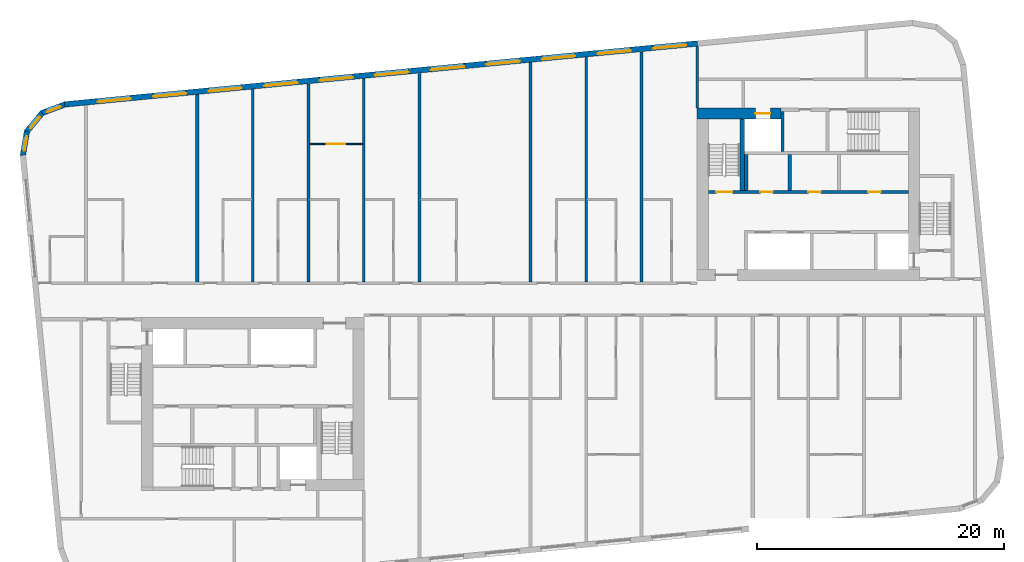
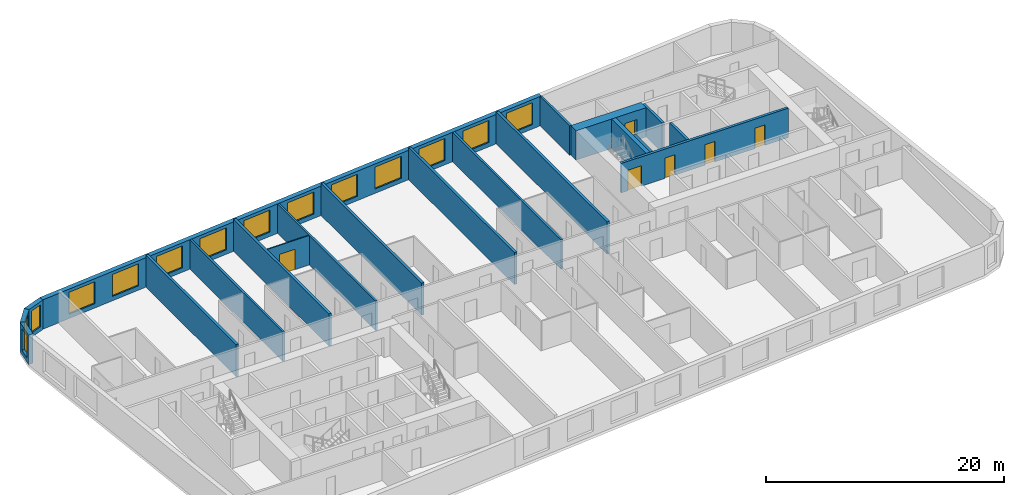
# One storey, part 6 of 12: 20 walls, 14 windows, 6 doors, 20 openings.
"""IFC4 building model written with IfcOpenShell, lengths in metres."""

from ifc_helpers import new_model, si_unit, direction, frame, frame_2d, origin, place, context, subcontext, project, spatial, polyline, rectangle, outline, extrude, material, layer, layer_set, type_object, element, fill, save


model = new_model("IFC4")

# Units and contexts
model_context = context("Model", 3, precision=1e-05, world=origin(), true_north=direction((0.0, 1.0)))
body_context = subcontext(model_context, "Body", "Model", "MODEL_VIEW")
ifc_project = project(units=[si_unit("LENGTHUNIT", "METRE"), si_unit("AREAUNIT", "SQUARE_METRE"), si_unit("VOLUMEUNIT", "CUBIC_METRE"), si_unit("PLANEANGLEUNIT", "RADIAN"), si_unit("MASSUNIT", "GRAM", prefix="KILO")], contexts=[model_context])

# Site, building, storey
site_placement = place(None, origin())
site = spatial("IfcSite", under=ifc_project, at=site_placement, CompositionType="ELEMENT")
building_placement = place(site_placement, origin())
building = spatial("IfcBuilding", under=site, at=building_placement, Name="Kajstack Hotel Tower", CompositionType="ELEMENT")
storey_placement = place(building_placement, frame((0.0, 0.0, 301.5)))
storey = spatial("IfcBuildingStorey", under=building, at=storey_placement, Name="L76", CompositionType="ELEMENT", Elevation=301.5)

# Wall, opening, door
ifc_material_1 = material(Name="Concrete C60/75", Category="concrete")
ifc_layer_1 = layer(ifc_material_1, 0.89990234375)
ifc_layer_set_1 = layer_set([ifc_layer_1], Name="Core wall 900")
wall_type_1 = type_object("IfcWallType", Name="Core wall 900", PredefinedType="SHEAR", material=ifc_layer_set_1)
wall_1_placement = place(storey_placement, frame((13.5, 15.050048828125, 0.0), z_axis=(0.0, 0.0, 1.0), x_axis=(1.0, 0.0, 0.0)))
wall_1 = element("IfcWall", 1, at=wall_1_placement, inside=storey, type_object=wall_type_1, Name="Core wall E RS", PredefinedType="SHEAR", context=body_context, shape_type="SweptSolid", body=[
    extrude(rectangle(XDim=6.800048828125, YDim=0.89990234375, at=frame_2d((3.39990234375, 0.0))), origin(), (0.0, 0.0, 1.0), 3.02001953125),
])
opening_1_placement = place(wall_1_placement, frame((4.72509765625, 0.0, 0.0)))
opening_1 = element("IfcOpeningElement", 2, at=opening_1_placement, cuts=wall_1, Name="Opening LD-SV2", PredefinedType="OPENING", context=body_context, shape_type="SweptSolid", body=[
    extrude(rectangle(XDim=1.199951171875, YDim=2.10009765625, at=frame_2d((0.60009765625, 1.050048828125))), frame((0.0, 0.4599609375, 0.0), z_axis=(0.0, -1.0, 0.0), x_axis=(1.0, 0.0, 0.0)), (0.0, 0.0, 1.0), 0.919921875),
])
ifc_material_2 = material(Name="Stainless steel", Category="steel")
door_type_1 = type_object("IfcDoorType", Name="Lift landing door 1200", OperationType="SLIDING_TO_LEFT", PredefinedType="DOOR", material=ifc_material_2)
door_1_placement = place(opening_1_placement, origin())
door_1 = element("IfcDoor", 3, at=door_1_placement, inside=storey, type_object=door_type_1, Name="Landing door SV2", OperationType="SLIDING_TO_LEFT", OverallHeight=2.10009765625, OverallWidth=1.199951171875, PredefinedType="DOOR", context=body_context, shape_type="SweptSolid", body=[
    extrude(rectangle(XDim=1.199951171875, YDim=2.10009765625, at=frame_2d((0.60009765625, 1.050048828125))), frame((0.0, 0.02490234375, 0.0), z_axis=(0.0, -1.0, 0.0), x_axis=(1.0, 0.0, 0.0)), (0.0, 0.0, 1.0), 0.050048828125),
])
fill(opening_1, door_1)

# Walls
ifc_material_3 = material(Name="Twin-frame gypsum board on steel studs, mineral wool", Category="steel")
ifc_layer_2 = layer(ifc_material_3, 0.199951171875)
ifc_layer_set_2 = layer_set([ifc_layer_2], Name="Demising wall 200")
wall_type_2 = type_object("IfcWallType", Name="Demising wall 200", PredefinedType="PARTITIONING", material=ifc_layer_set_2)
wall_2_placement = place(storey_placement, frame((13.5, 15.5, 0.0), z_axis=(0.0, 0.0, 1.0), x_axis=(0.0, 1.0, 0.0)))
element("IfcWall", 4, at=wall_2_placement, inside=storey, type_object=wall_type_2, Name="G-wall-L76-001", PredefinedType="PARTITIONING", context=body_context, shape_type="SweptSolid", body=[
    extrude(rectangle(XDim=4.985107421875, YDim=0.199951171875, at=frame_2d((2.49267578125, 0.0))), origin(), (0.0, 0.0, 1.0), 3.02001953125),
])
wall_3_placement = place(storey_placement, frame((-22.5, 1.39990234375, 0.0), z_axis=(0.0, 0.0, 1.0), x_axis=(0.0, 1.0, 0.0)))
element("IfcWall", 5, at=wall_3_placement, inside=storey, type_object=wall_type_2, Name="G-wall-L76-008", PredefinedType="PARTITIONING", context=body_context, shape_type="SweptSolid", body=[
    extrude(rectangle(XDim=15.6181640625, YDim=0.199951171875, at=frame_2d((7.80908203125, 0.0))), origin(), (0.0, 0.0, 1.0), 3.02001953125),
])
wall_4_placement = place(storey_placement, frame((-13.5, 1.39990234375, 0.0), z_axis=(0.0, 0.0, 1.0), x_axis=(0.0, 1.0, 0.0)))
element("IfcWall", 6, at=wall_4_placement, inside=storey, type_object=wall_type_2, Name="G-wall-L76-013", PredefinedType="PARTITIONING", context=body_context, shape_type="SweptSolid", body=[
    extrude(rectangle(XDim=16.485107421875, YDim=0.199951171875, at=frame_2d((8.24267578125, 0.0))), origin(), (0.0, 0.0, 1.0), 3.02001953125),
])
wall_5_placement = place(storey_placement, frame((4.5, 1.39990234375, 0.0), z_axis=(0.0, 0.0, 1.0), x_axis=(0.0, 1.0, 0.0)))
element("IfcWall", 7, at=wall_5_placement, inside=storey, type_object=wall_type_2, Name="G-wall-L76-021", PredefinedType="PARTITIONING", context=body_context, shape_type="SweptSolid", body=[
    extrude(rectangle(XDim=18.218017578125, YDim=0.199951171875, at=frame_2d((9.10888671875, 0.0))), origin(), (0.0, 0.0, 1.0), 3.02001953125),
])

# Wall, openings, windows
ifc_material_4 = material(Name="Terracotta-faced brick masonry", Category="masonry")
ifc_layer_3 = layer(ifc_material_4, 0.449951171875)
ifc_layer_set_3 = layer_set([ifc_layer_3], Name="EW-TERRA")
wall_type_3 = type_object("IfcWallType", Name="EW-TERRA", PredefinedType="SOLIDWALL", material=ifc_layer_set_3)
wall_6_placement = place(storey_placement, frame((13.521484375, 20.712890625, 0.0), z_axis=(0.0, 0.0, 1.0), x_axis=(-0.995396277313, -0.095844932638, 0.0)))
wall_6 = element("IfcWall", 8, at=wall_6_placement, inside=storey, type_object=wall_type_3, Name="E-wall-L76-12-01", PredefinedType="SOLIDWALL", context=body_context, shape_type="SweptSolid", body=[
    extrude(rectangle(XDim=51.4951171875, YDim=0.449951171875, at=frame_2d((25.74755859375, 0.0))), origin(), (0.0, 0.0, 1.0), 3.02001953125),
])
opening_2_placement = place(wall_6_placement, frame((0.910400390625, 0.0, 0.449951171875)))
opening_2 = element("IfcOpeningElement", 9, at=opening_2_placement, cuts=wall_6, Name="Opening W1", PredefinedType="OPENING", context=body_context, shape_type="SweptSolid", body=[
    extrude(rectangle(XDim=2.699951171875, YDim=2.25, at=frame_2d((1.35009765625, 1.125))), frame((0.0, 0.23486328125, 0.0), z_axis=(0.0, -1.0, 0.0), x_axis=(1.0, 0.0, 0.0)), (0.0, 0.0, 1.0), 0.469970703125),
])
opening_3_placement = place(wall_6_placement, frame((5.43115234375, 0.0, 0.449951171875)))
opening_3 = element("IfcOpeningElement", 10, at=opening_3_placement, cuts=wall_6, Name="Opening W1", PredefinedType="OPENING", context=body_context, shape_type="SweptSolid", body=[
    extrude(rectangle(XDim=2.699951171875, YDim=2.25, at=frame_2d((1.35009765625, 1.125))), frame((0.0, 0.23486328125, 0.0), z_axis=(0.0, -1.0, 0.0), x_axis=(1.0, 0.0, 0.0)), (0.0, 0.0, 1.0), 0.469970703125),
])
opening_4_placement = place(wall_6_placement, frame((9.951904296875, 0.0, 0.449951171875)))
opening_4 = element("IfcOpeningElement", 11, at=opening_4_placement, cuts=wall_6, Name="Opening W1", PredefinedType="OPENING", context=body_context, shape_type="SweptSolid", body=[
    extrude(rectangle(XDim=2.699951171875, YDim=2.25, at=frame_2d((1.35009765625, 1.125))), frame((0.0, 0.23486328125, 0.0), z_axis=(0.0, -1.0, 0.0), x_axis=(1.0, 0.0, 0.0)), (0.0, 0.0, 1.0), 0.469970703125),
])
opening_5_placement = place(wall_6_placement, frame((14.472900390625, 0.0, 0.449951171875)))
opening_5 = element("IfcOpeningElement", 12, at=opening_5_placement, cuts=wall_6, Name="Opening W1", PredefinedType="OPENING", context=body_context, shape_type="SweptSolid", body=[
    extrude(rectangle(XDim=2.699951171875, YDim=2.25, at=frame_2d((1.35009765625, 1.125))), frame((0.0, 0.23486328125, 0.0), z_axis=(0.0, -1.0, 0.0), x_axis=(1.0, 0.0, 0.0)), (0.0, 0.0, 1.0), 0.469970703125),
])
opening_6_placement = place(wall_6_placement, frame((18.99365234375, 0.0, 0.449951171875)))
opening_6 = element("IfcOpeningElement", 13, at=opening_6_placement, cuts=wall_6, Name="Opening W1", PredefinedType="OPENING", context=body_context, shape_type="SweptSolid", body=[
    extrude(rectangle(XDim=2.699951171875, YDim=2.25, at=frame_2d((1.35009765625, 1.125))), frame((0.0, 0.23486328125, 0.0), z_axis=(0.0, -1.0, 0.0), x_axis=(1.0, 0.0, 0.0)), (0.0, 0.0, 1.0), 0.469970703125),
])
opening_7_placement = place(wall_6_placement, frame((23.514404296875, 0.0, 0.449951171875)))
opening_7 = element("IfcOpeningElement", 14, at=opening_7_placement, cuts=wall_6, Name="Opening W1", PredefinedType="OPENING", context=body_context, shape_type="SweptSolid", body=[
    extrude(rectangle(XDim=2.699951171875, YDim=2.25, at=frame_2d((1.35009765625, 1.125))), frame((0.0, 0.23486328125, 0.0), z_axis=(0.0, -1.0, 0.0), x_axis=(1.0, 0.0, 0.0)), (0.0, 0.0, 1.0), 0.469970703125),
])
opening_8_placement = place(wall_6_placement, frame((28.035400390625, 0.0, 0.449951171875)))
opening_8 = element("IfcOpeningElement", 15, at=opening_8_placement, cuts=wall_6, Name="Opening W1", PredefinedType="OPENING", context=body_context, shape_type="SweptSolid", body=[
    extrude(rectangle(XDim=2.699951171875, YDim=2.25, at=frame_2d((1.35009765625, 1.125))), frame((0.0, 0.23486328125, 0.0), z_axis=(0.0, -1.0, 0.0), x_axis=(1.0, 0.0, 0.0)), (0.0, 0.0, 1.0), 0.469970703125),
])
opening_9_placement = place(wall_6_placement, frame((32.55615234375, 0.0, 0.449951171875)))
opening_9 = element("IfcOpeningElement", 16, at=opening_9_placement, cuts=wall_6, Name="Opening W1", PredefinedType="OPENING", context=body_context, shape_type="SweptSolid", body=[
    extrude(rectangle(XDim=2.699951171875, YDim=2.25, at=frame_2d((1.35009765625, 1.125))), frame((0.0, 0.23486328125, 0.0), z_axis=(0.0, -1.0, 0.0), x_axis=(1.0, 0.0, 0.0)), (0.0, 0.0, 1.0), 0.469970703125),
])
opening_10_placement = place(wall_6_placement, frame((37.076904296875, 0.0, 0.449951171875)))
opening_10 = element("IfcOpeningElement", 17, at=opening_10_placement, cuts=wall_6, Name="Opening W1", PredefinedType="OPENING", context=body_context, shape_type="SweptSolid", body=[
    extrude(rectangle(XDim=2.699951171875, YDim=2.25, at=frame_2d((1.35009765625, 1.125))), frame((0.0, 0.23486328125, 0.0), z_axis=(0.0, -1.0, 0.0), x_axis=(1.0, 0.0, 0.0)), (0.0, 0.0, 1.0), 0.469970703125),
])
opening_11_placement = place(wall_6_placement, frame((41.59765625, 0.0, 0.449951171875)))
opening_11 = element("IfcOpeningElement", 18, at=opening_11_placement, cuts=wall_6, Name="Opening W1", PredefinedType="OPENING", context=body_context, shape_type="SweptSolid", body=[
    extrude(rectangle(XDim=2.699951171875, YDim=2.25, at=frame_2d((1.35009765625, 1.125))), frame((0.0, 0.23486328125, 0.0), z_axis=(0.0, -1.0, 0.0), x_axis=(1.0, 0.0, 0.0)), (0.0, 0.0, 1.0), 0.469970703125),
])
opening_12_placement = place(wall_6_placement, frame((46.118408203125, 0.0, 0.449951171875)))
opening_12 = element("IfcOpeningElement", 19, at=opening_12_placement, cuts=wall_6, Name="Opening W1", PredefinedType="OPENING", context=body_context, shape_type="SweptSolid", body=[
    extrude(rectangle(XDim=2.699951171875, YDim=2.25, at=frame_2d((1.35009765625, 1.125))), frame((0.0, 0.23486328125, 0.0), z_axis=(0.0, -1.0, 0.0), x_axis=(1.0, 0.0, 0.0)), (0.0, 0.0, 1.0), 0.469970703125),
])
ifc_material_5 = material(Name="Timber-aluminium window, triple glazed", Category="wood")
window_type_1 = type_object("IfcWindowType", Name="WG1", PartitioningType="SINGLE_PANEL", PredefinedType="WINDOW", material=ifc_material_5)
window_1_placement = place(opening_2_placement, origin())
window_1 = element("IfcWindow", 20, at=window_1_placement, inside=storey, type_object=window_type_1, Name="Window W1 L76-12", OverallHeight=2.25, OverallWidth=2.699951171875, PartitioningType="SINGLE_PANEL", PredefinedType="WINDOW", context=body_context, shape_type="SweptSolid", body=[
    extrude(rectangle(XDim=2.699951171875, YDim=2.25, at=frame_2d((1.35009765625, 1.125))), frame((0.0, 0.090087890625, 0.0), z_axis=(0.0, -1.0, 0.0), x_axis=(1.0, 0.0, 0.0)), (0.0, 0.0, 1.0), 0.06005859375),
])
fill(opening_2, window_1)
window_2_placement = place(opening_3_placement, origin())
window_2 = element("IfcWindow", 21, at=window_2_placement, inside=storey, type_object=window_type_1, Name="Window W1 L76-12", OverallHeight=2.25, OverallWidth=2.699951171875, PartitioningType="SINGLE_PANEL", PredefinedType="WINDOW", context=body_context, shape_type="SweptSolid", body=[
    extrude(rectangle(XDim=2.699951171875, YDim=2.25, at=frame_2d((1.35009765625, 1.125))), frame((0.0, 0.090087890625, 0.0), z_axis=(0.0, -1.0, 0.0), x_axis=(1.0, 0.0, 0.0)), (0.0, 0.0, 1.0), 0.06005859375),
])
fill(opening_3, window_2)
window_3_placement = place(opening_4_placement, origin())
window_3 = element("IfcWindow", 22, at=window_3_placement, inside=storey, type_object=window_type_1, Name="Window W1 L76-12", OverallHeight=2.25, OverallWidth=2.699951171875, PartitioningType="SINGLE_PANEL", PredefinedType="WINDOW", context=body_context, shape_type="SweptSolid", body=[
    extrude(rectangle(XDim=2.699951171875, YDim=2.25, at=frame_2d((1.35009765625, 1.125))), frame((0.0, 0.090087890625, 0.0), z_axis=(0.0, -1.0, 0.0), x_axis=(1.0, 0.0, 0.0)), (0.0, 0.0, 1.0), 0.06005859375),
])
fill(opening_4, window_3)
window_4_placement = place(opening_5_placement, origin())
window_4 = element("IfcWindow", 23, at=window_4_placement, inside=storey, type_object=window_type_1, Name="Window W1 L76-12", OverallHeight=2.25, OverallWidth=2.699951171875, PartitioningType="SINGLE_PANEL", PredefinedType="WINDOW", context=body_context, shape_type="SweptSolid", body=[
    extrude(rectangle(XDim=2.699951171875, YDim=2.25, at=frame_2d((1.35009765625, 1.125))), frame((0.0, 0.090087890625, 0.0), z_axis=(0.0, -1.0, 0.0), x_axis=(1.0, 0.0, 0.0)), (0.0, 0.0, 1.0), 0.06005859375),
])
fill(opening_5, window_4)
window_5_placement = place(opening_6_placement, origin())
window_5 = element("IfcWindow", 24, at=window_5_placement, inside=storey, type_object=window_type_1, Name="Window W1 L76-12", OverallHeight=2.25, OverallWidth=2.699951171875, PartitioningType="SINGLE_PANEL", PredefinedType="WINDOW", context=body_context, shape_type="SweptSolid", body=[
    extrude(rectangle(XDim=2.699951171875, YDim=2.25, at=frame_2d((1.35009765625, 1.125))), frame((0.0, 0.090087890625, 0.0), z_axis=(0.0, -1.0, 0.0), x_axis=(1.0, 0.0, 0.0)), (0.0, 0.0, 1.0), 0.06005859375),
])
fill(opening_6, window_5)
window_6_placement = place(opening_7_placement, origin())
window_6 = element("IfcWindow", 25, at=window_6_placement, inside=storey, type_object=window_type_1, Name="Window W1 L76-12", OverallHeight=2.25, OverallWidth=2.699951171875, PartitioningType="SINGLE_PANEL", PredefinedType="WINDOW", context=body_context, shape_type="SweptSolid", body=[
    extrude(rectangle(XDim=2.699951171875, YDim=2.25, at=frame_2d((1.35009765625, 1.125))), frame((0.0, 0.090087890625, 0.0), z_axis=(0.0, -1.0, 0.0), x_axis=(1.0, 0.0, 0.0)), (0.0, 0.0, 1.0), 0.06005859375),
])
fill(opening_7, window_6)
window_7_placement = place(opening_8_placement, origin())
window_7 = element("IfcWindow", 26, at=window_7_placement, inside=storey, type_object=window_type_1, Name="Window W1 L76-12", OverallHeight=2.25, OverallWidth=2.699951171875, PartitioningType="SINGLE_PANEL", PredefinedType="WINDOW", context=body_context, shape_type="SweptSolid", body=[
    extrude(rectangle(XDim=2.699951171875, YDim=2.25, at=frame_2d((1.35009765625, 1.125))), frame((0.0, 0.090087890625, 0.0), z_axis=(0.0, -1.0, 0.0), x_axis=(1.0, 0.0, 0.0)), (0.0, 0.0, 1.0), 0.06005859375),
])
fill(opening_8, window_7)
window_8_placement = place(opening_9_placement, origin())
window_8 = element("IfcWindow", 27, at=window_8_placement, inside=storey, type_object=window_type_1, Name="Window W1 L76-12", OverallHeight=2.25, OverallWidth=2.699951171875, PartitioningType="SINGLE_PANEL", PredefinedType="WINDOW", context=body_context, shape_type="SweptSolid", body=[
    extrude(rectangle(XDim=2.699951171875, YDim=2.25, at=frame_2d((1.35009765625, 1.125))), frame((0.0, 0.090087890625, 0.0), z_axis=(0.0, -1.0, 0.0), x_axis=(1.0, 0.0, 0.0)), (0.0, 0.0, 1.0), 0.06005859375),
])
fill(opening_9, window_8)
window_9_placement = place(opening_10_placement, origin())
window_9 = element("IfcWindow", 28, at=window_9_placement, inside=storey, type_object=window_type_1, Name="Window W1 L76-12", OverallHeight=2.25, OverallWidth=2.699951171875, PartitioningType="SINGLE_PANEL", PredefinedType="WINDOW", context=body_context, shape_type="SweptSolid", body=[
    extrude(rectangle(XDim=2.699951171875, YDim=2.25, at=frame_2d((1.35009765625, 1.125))), frame((0.0, 0.090087890625, 0.0), z_axis=(0.0, -1.0, 0.0), x_axis=(1.0, 0.0, 0.0)), (0.0, 0.0, 1.0), 0.06005859375),
])
fill(opening_10, window_9)
window_10_placement = place(opening_11_placement, origin())
window_10 = element("IfcWindow", 29, at=window_10_placement, inside=storey, type_object=window_type_1, Name="Window W1 L76-12", OverallHeight=2.25, OverallWidth=2.699951171875, PartitioningType="SINGLE_PANEL", PredefinedType="WINDOW", context=body_context, shape_type="SweptSolid", body=[
    extrude(rectangle(XDim=2.699951171875, YDim=2.25, at=frame_2d((1.35009765625, 1.125))), frame((0.0, 0.090087890625, 0.0), z_axis=(0.0, -1.0, 0.0), x_axis=(1.0, 0.0, 0.0)), (0.0, 0.0, 1.0), 0.06005859375),
])
fill(opening_11, window_10)
window_11_placement = place(opening_12_placement, origin())
window_11 = element("IfcWindow", 30, at=window_11_placement, inside=storey, type_object=window_type_1, Name="Window W1 L76-12", OverallHeight=2.25, OverallWidth=2.699951171875, PartitioningType="SINGLE_PANEL", PredefinedType="WINDOW", context=body_context, shape_type="SweptSolid", body=[
    extrude(rectangle(XDim=2.699951171875, YDim=2.25, at=frame_2d((1.35009765625, 1.125))), frame((0.0, 0.090087890625, 0.0), z_axis=(0.0, -1.0, 0.0), x_axis=(1.0, 0.0, 0.0)), (0.0, 0.0, 1.0), 0.06005859375),
])
fill(opening_12, window_11)

# Wall, opening, window
wall_7_placement = place(storey_placement, frame((-37.67919921875, 15.79052734375, 0.0), z_axis=(0.0, 0.0, 1.0), x_axis=(-0.936677599948, -0.350192909346, 0.0)))
wall_7 = element("IfcWall", 31, at=wall_7_placement, inside=storey, type_object=wall_type_3, Name="E-wall-L76-13-00", PredefinedType="SOLIDWALL", context=body_context, shape_type="SweptSolid", body=[
    extrude(outline(polyline([(0.000244140625, -0.224853515625), (2.070556640625, -0.224853515625), (1.949951171875, 0.22509765625), (0.12060546875, 0.22509765625), (0.000244140625, -0.224853515625)])), origin(), (0.0, 0.0, 1.0), 3.02001953125),
])
opening_13_placement = place(wall_7_placement, frame((0.435302734375, 0.0, 0.449951171875)))
opening_13 = element("IfcOpeningElement", 32, at=opening_13_placement, cuts=wall_7, Name="Opening W3", PredefinedType="OPENING", context=body_context, shape_type="SweptSolid", body=[
    extrude(rectangle(XDim=1.199951171875, YDim=2.25, at=frame_2d((0.60009765625, 1.125))), frame((0.0, 0.23486328125, 0.0), z_axis=(0.0, -1.0, 0.0), x_axis=(1.0, 0.0, 0.0)), (0.0, 0.0, 1.0), 0.469970703125),
])
window_type_2 = type_object("IfcWindowType", Name="WG3", PartitioningType="SINGLE_PANEL", PredefinedType="WINDOW", material=ifc_material_5)
window_12_placement = place(opening_13_placement, origin())
window_12 = element("IfcWindow", 33, at=window_12_placement, inside=storey, type_object=window_type_2, Name="Window W3 L76-13", OverallHeight=2.25, OverallWidth=1.199951171875, PartitioningType="SINGLE_PANEL", PredefinedType="WINDOW", context=body_context, shape_type="SweptSolid", body=[
    extrude(rectangle(XDim=1.199951171875, YDim=2.25, at=frame_2d((0.60009765625, 1.125))), frame((0.0, 0.090087890625, 0.0), z_axis=(0.0, -1.0, 0.0), x_axis=(1.0, 0.0, 0.0)), (0.0, 0.0, 1.0), 0.06005859375),
])
fill(opening_13, window_12)

wall_8_placement = place(storey_placement, frame((-39.52392578125, 15.133056640625, 0.0), z_axis=(0.0, 0.0, 1.0), x_axis=(-0.636046112757, -0.771651049663, 0.0)))
wall_8 = element("IfcWall", 34, at=wall_8_placement, inside=storey, type_object=wall_type_3, Name="E-wall-L76-14-00", PredefinedType="SOLIDWALL", context=body_context, shape_type="SweptSolid", body=[
    extrude(outline(polyline([(0.0, -0.224853515625), (2.070556640625, -0.224853515625), (1.949951171875, 0.22509765625), (0.12060546875, 0.22509765625), (0.0, -0.224853515625)])), origin(), (0.0, 0.0, 1.0), 3.02001953125),
])
opening_14_placement = place(wall_8_placement, frame((0.435302734375, 0.0, 0.449951171875)))
opening_14 = element("IfcOpeningElement", 35, at=opening_14_placement, cuts=wall_8, Name="Opening W3", PredefinedType="OPENING", context=body_context, shape_type="SweptSolid", body=[
    extrude(rectangle(XDim=1.199951171875, YDim=2.25, at=frame_2d((0.60009765625, 1.125))), frame((0.0, 0.23486328125, 0.0), z_axis=(0.0, -1.0, 0.0), x_axis=(1.0, 0.0, 0.0)), (0.0, 0.0, 1.0), 0.469970703125),
])
window_13_placement = place(opening_14_placement, origin())
window_13 = element("IfcWindow", 36, at=window_13_placement, inside=storey, type_object=window_type_2, Name="Window W3 L76-14", OverallHeight=2.25, OverallWidth=1.199951171875, PartitioningType="SINGLE_PANEL", PredefinedType="WINDOW", context=body_context, shape_type="SweptSolid", body=[
    extrude(rectangle(XDim=1.199951171875, YDim=2.25, at=frame_2d((0.60009765625, 1.125))), frame((0.0, 0.090087890625, 0.0), z_axis=(0.0, -1.0, 0.0), x_axis=(1.0, 0.0, 0.0)), (0.0, 0.0, 1.0), 0.06005859375),
])
fill(opening_14, window_13)

wall_9_placement = place(storey_placement, frame((-40.79248046875, 13.641357421875, 0.0), z_axis=(0.0, 0.0, 1.0), x_axis=(-0.165068144653, -0.986282164302, 0.0)))
wall_9 = element("IfcWall", 37, at=wall_9_placement, inside=storey, type_object=wall_type_3, Name="E-wall-L76-15-00", PredefinedType="SOLIDWALL", context=body_context, shape_type="SweptSolid", body=[
    extrude(outline(polyline([(0.0, -0.22509765625), (2.070556640625, -0.22509765625), (1.949951171875, 0.224853515625), (0.12060546875, 0.224853515625), (0.0, -0.22509765625)])), origin(), (0.0, 0.0, 1.0), 3.02001953125),
])
opening_15_placement = place(wall_9_placement, frame((0.435302734375, 0.0, 0.449951171875)))
opening_15 = element("IfcOpeningElement", 38, at=opening_15_placement, cuts=wall_9, Name="Opening W3", PredefinedType="OPENING", context=body_context, shape_type="SweptSolid", body=[
    extrude(rectangle(XDim=1.199951171875, YDim=2.25, at=frame_2d((0.60009765625, 1.125))), frame((0.0, 0.23486328125, 0.0), z_axis=(0.0, -1.0, 0.0), x_axis=(1.0, 0.0, 0.0)), (0.0, 0.0, 1.0), 0.469970703125),
])
window_14_placement = place(opening_15_placement, origin())
window_14 = element("IfcWindow", 39, at=window_14_placement, inside=storey, type_object=window_type_2, Name="Window W3 L76-15", OverallHeight=2.25, OverallWidth=1.199951171875, PartitioningType="SINGLE_PANEL", PredefinedType="WINDOW", context=body_context, shape_type="SweptSolid", body=[
    extrude(rectangle(XDim=1.199951171875, YDim=2.25, at=frame_2d((0.60009765625, 1.125))), frame((0.0, 0.090087890625, 0.0), z_axis=(0.0, -1.0, 0.0), x_axis=(1.0, 0.0, 0.0)), (0.0, 0.0, 1.0), 0.06005859375),
])
fill(opening_15, window_14)

# Wall, opening, door
ifc_material_6 = material(Name="Gypsum board on steel studs", Category="steel")
ifc_layer_4 = layer(ifc_material_6, 0.10009765625)
ifc_layer_set_4 = layer_set([ifc_layer_4], Name="Partition 100")
wall_type_4 = type_object("IfcWallType", Name="Partition 100", PredefinedType="PARTITIONING", material=ifc_layer_set_4)
wall_10_placement = place(storey_placement, frame((-17.875, 12.574951171875, 0.0), z_axis=(0.0, 0.0, 1.0), x_axis=(1.0, 0.0, 0.0)))
wall_10 = element("IfcWall", 40, at=wall_10_placement, inside=storey, type_object=wall_type_4, Name="G-wall-L76-016", PredefinedType="PARTITIONING", context=body_context, shape_type="SweptSolid", body=[
    extrude(rectangle(XDim=4.27490234375, YDim=0.10009765625, at=frame_2d((2.137451171875, 0.0))), origin(), (0.0, 0.0, 1.0), 3.02001953125),
])
opening_16_placement = place(wall_10_placement, frame((1.386962890625, 0.0, 0.0)))
opening_16 = element("IfcOpeningElement", 41, at=opening_16_placement, cuts=wall_10, Name="Opening 76011", PredefinedType="OPENING", context=body_context, shape_type="SweptSolid", body=[
    extrude(rectangle(XDim=1.5, YDim=2.10009765625, at=frame_2d((0.75, 1.050048828125))), frame((0.0, 0.06005859375, 0.0), z_axis=(0.0, -1.0, 0.0), x_axis=(1.0, 0.0, 0.0)), (0.0, 0.0, 1.0), 0.1201171875),
])
ifc_material_7 = material(Name="Painted timber door leaves, glazed panels", Category="wood")
door_type_2 = type_object("IfcDoorType", Name="Double door 1500", OperationType="SINGLE_SWING_LEFT", PredefinedType="DOOR", material=ifc_material_7)
door_2_placement = place(opening_16_placement, origin())
door_2 = element("IfcDoor", 42, at=door_2_placement, inside=storey, type_object=door_type_2, Name="G-door-L76-11", OperationType="SINGLE_SWING_LEFT", OverallHeight=2.10009765625, OverallWidth=1.5, PredefinedType="DOOR", context=body_context, shape_type="SweptSolid", body=[
    extrude(rectangle(XDim=1.5, YDim=2.10009765625, at=frame_2d((0.75, 1.050048828125))), frame((0.0, 0.02490234375, 0.0), z_axis=(0.0, -1.0, 0.0), x_axis=(1.0, 0.0, 0.0)), (0.0, 0.0, 1.0), 0.050048828125),
])
fill(opening_16, door_2)

# Walls
ifc_material_8 = material(Name="Concrete C40/50", Category="concrete")
ifc_layer_5 = layer(ifc_material_8, 0.25)
ifc_layer_set_5 = layer_set([ifc_layer_5], Name="RC cross wall 250 C40/50")
wall_type_5 = type_object("IfcWallType", Name="RC cross wall 250 C40/50", PredefinedType="SHEAR", material=ifc_layer_set_5)
wall_11_placement = place(storey_placement, frame((-27.0, 1.39990234375, 0.0), z_axis=(0.0, 0.0, 1.0), x_axis=(0.0, 1.0, 0.0)))
element("IfcWall", 43, at=wall_11_placement, inside=storey, type_object=wall_type_5, Name="S-wall-L76-02", PredefinedType="SHEAR", context=body_context, shape_type="SweptSolid", body=[
    extrude(rectangle(XDim=15.1630859375, YDim=0.25, at=frame_2d((7.58154296875, 0.0))), origin(), (0.0, 0.0, 1.0), 3.300048828125),
])
wall_12_placement = place(storey_placement, frame((-18.0, 1.39990234375, 0.0), z_axis=(0.0, 0.0, 1.0), x_axis=(0.0, 1.0, 0.0)))
element("IfcWall", 44, at=wall_12_placement, inside=storey, type_object=wall_type_5, Name="S-wall-L76-03", PredefinedType="SHEAR", context=body_context, shape_type="SweptSolid", body=[
    extrude(rectangle(XDim=16.029541015625, YDim=0.25, at=frame_2d((8.0146484375, 0.0))), origin(), (0.0, 0.0, 1.0), 3.300048828125),
])
wall_13_placement = place(storey_placement, frame((-9.0, 1.39990234375, 0.0), z_axis=(0.0, 0.0, 1.0), x_axis=(0.0, 1.0, 0.0)))
element("IfcWall", 45, at=wall_13_placement, inside=storey, type_object=wall_type_5, Name="S-wall-L76-05", PredefinedType="SHEAR", context=body_context, shape_type="SweptSolid", body=[
    extrude(rectangle(XDim=16.896240234375, YDim=0.25, at=frame_2d((8.4482421875, 0.0))), origin(), (0.0, 0.0, 1.0), 3.300048828125),
])
wall_14_placement = place(storey_placement, frame((0.0, 1.39990234375, 0.0), z_axis=(0.0, 0.0, 1.0), x_axis=(0.0, 1.0, 0.0)))
element("IfcWall", 46, at=wall_14_placement, inside=storey, type_object=wall_type_5, Name="S-wall-L76-07", PredefinedType="SHEAR", context=body_context, shape_type="SweptSolid", body=[
    extrude(rectangle(XDim=17.7626953125, YDim=0.25, at=frame_2d((8.88134765625, 0.0))), origin(), (0.0, 0.0, 1.0), 3.300048828125),
])
wall_15_placement = place(storey_placement, frame((9.0, 1.39990234375, 0.0), z_axis=(0.0, 0.0, 1.0), x_axis=(0.0, 1.0, 0.0)))
element("IfcWall", 47, at=wall_15_placement, inside=storey, type_object=wall_type_5, Name="S-wall-L76-09", PredefinedType="SHEAR", context=body_context, shape_type="SweptSolid", body=[
    extrude(rectangle(XDim=18.62939453125, YDim=0.25, at=frame_2d((9.314697265625, 0.0))), origin(), (0.0, 0.0, 1.0), 3.300048828125),
])
ifc_material_9 = material(Name="Concrete block masonry", Category="masonry")
ifc_layer_6 = layer(ifc_material_9, 0.25)
ifc_layer_set_6 = layer_set([ifc_layer_6], Name="Riser partition 250")
wall_type_6 = type_object("IfcWallType", Name="Riser partition 250", PredefinedType="PARTITIONING", material=ifc_layer_set_6)
wall_16_placement = place(storey_placement, frame((21.0, 8.800048828125, 0.0), z_axis=(0.0, 0.0, 1.0), x_axis=(0.0, 1.0, 0.0)))
element("IfcWall", 48, at=wall_16_placement, inside=storey, type_object=wall_type_6, Name="Partition E BF1", PredefinedType="PARTITIONING", context=body_context, shape_type="SweptSolid", body=[
    extrude(rectangle(XDim=2.89990234375, YDim=0.25, at=frame_2d((1.449951171875, 0.0))), origin(), (0.0, 0.0, 1.0), 3.02001953125),
])

# Wall, openings, doors
ifc_material_10 = material(Name="Concrete C50/60", Category="concrete")
ifc_layer_7 = layer(ifc_material_10, 0.25)
ifc_layer_set_7 = layer_set([ifc_layer_7], Name="Shaft wall 250")
wall_type_7 = type_object("IfcWallType", Name="Shaft wall 250", PredefinedType="SHEAR", material=ifc_layer_set_7)
wall_17_placement = place(storey_placement, frame((14.39990234375, 8.675048828125, 0.0), z_axis=(0.0, 0.0, 1.0), x_axis=(1.0, 0.0, 0.0)))
wall_17 = element("IfcWall", 49, at=wall_17_placement, inside=storey, type_object=wall_type_7, Name="Core wall E FB", PredefinedType="SHEAR", context=body_context, shape_type="SweptSolid", body=[
    extrude(rectangle(XDim=16.2001953125, YDim=0.25, at=frame_2d((8.10009765625, 0.0))), origin(), (0.0, 0.0, 1.0), 3.02001953125),
])
opening_17_placement = place(wall_17_placement, frame((0.64990234375, 0.0, 0.0)))
opening_17 = element("IfcOpeningElement", 50, at=opening_17_placement, cuts=wall_17, Name="Opening 76E09", PredefinedType="OPENING", context=body_context, shape_type="SweptSolid", body=[
    extrude(rectangle(XDim=1.300048828125, YDim=2.10009765625, at=frame_2d((0.64990234375, 1.050048828125))), frame((0.0, 0.135009765625, 0.0), z_axis=(0.0, -1.0, 0.0), x_axis=(1.0, 0.0, 0.0)), (0.0, 0.0, 1.0), 0.27001953125),
])
opening_18_placement = place(wall_17_placement, frame((12.96240234375, 0.0, 0.0)))
opening_18 = element("IfcOpeningElement", 51, at=opening_18_placement, cuts=wall_17, Name="Opening 76E12", PredefinedType="OPENING", context=body_context, shape_type="SweptSolid", body=[
    extrude(rectangle(XDim=1.0, YDim=2.10009765625, at=frame_2d((0.5, 1.050048828125))), frame((0.0, 0.135009765625, 0.0), z_axis=(0.0, -1.0, 0.0), x_axis=(1.0, 0.0, 0.0)), (0.0, 0.0, 1.0), 0.27001953125),
])
opening_19_placement = place(wall_17_placement, frame((8.10009765625, 0.0, 0.0)))
opening_19 = element("IfcOpeningElement", 52, at=opening_19_placement, cuts=wall_17, Name="Opening 76E13", PredefinedType="OPENING", context=body_context, shape_type="SweptSolid", body=[
    extrude(rectangle(XDim=1.0, YDim=2.10009765625, at=frame_2d((0.5, 1.050048828125))), frame((0.0, 0.135009765625, 0.0), z_axis=(0.0, -1.0, 0.0), x_axis=(1.0, 0.0, 0.0)), (0.0, 0.0, 1.0), 0.27001953125),
])
opening_20_placement = place(wall_17_placement, frame((4.21240234375, 0.0, 0.0)))
opening_20 = element("IfcOpeningElement", 53, at=opening_20_placement, cuts=wall_17, Name="Opening 76E14", PredefinedType="OPENING", context=body_context, shape_type="SweptSolid", body=[
    extrude(rectangle(XDim=1.0, YDim=2.10009765625, at=frame_2d((0.5, 1.050048828125))), frame((0.0, 0.135009765625, 0.0), z_axis=(0.0, -1.0, 0.0), x_axis=(1.0, 0.0, 0.0)), (0.0, 0.0, 1.0), 0.27001953125),
])
ifc_material_11 = material(Name="Timber leaf, fire-rated", Category="wood")
door_type_3 = type_object("IfcDoorType", Name="Service room door 1000", OperationType="SINGLE_SWING_LEFT", PredefinedType="DOOR", material=ifc_material_11)
door_3_placement = place(opening_18_placement, origin())
door_3 = element("IfcDoor", 54, at=door_3_placement, inside=storey, type_object=door_type_3, Name="Door 76E12", OperationType="SINGLE_SWING_LEFT", OverallHeight=2.10009765625, OverallWidth=1.0, PredefinedType="DOOR", context=body_context, shape_type="SweptSolid", body=[
    extrude(rectangle(XDim=1.0, YDim=2.10009765625, at=frame_2d((0.5, 1.050048828125))), frame((0.0, 0.02490234375, 0.0), z_axis=(0.0, -1.0, 0.0), x_axis=(1.0, 0.0, 0.0)), (0.0, 0.0, 1.0), 0.050048828125),
])
fill(opening_18, door_3)
door_4_placement = place(opening_19_placement, origin())
door_4 = element("IfcDoor", 55, at=door_4_placement, inside=storey, type_object=door_type_3, Name="Door 76E13", OperationType="SINGLE_SWING_LEFT", OverallHeight=2.10009765625, OverallWidth=1.0, PredefinedType="DOOR", context=body_context, shape_type="SweptSolid", body=[
    extrude(rectangle(XDim=1.0, YDim=2.10009765625, at=frame_2d((0.5, 1.050048828125))), frame((0.0, 0.02490234375, 0.0), z_axis=(0.0, -1.0, 0.0), x_axis=(1.0, 0.0, 0.0)), (0.0, 0.0, 1.0), 0.050048828125),
])
fill(opening_19, door_4)
door_5_placement = place(opening_20_placement, origin())
door_5 = element("IfcDoor", 56, at=door_5_placement, inside=storey, type_object=door_type_3, Name="Door 76E14", OperationType="SINGLE_SWING_LEFT", OverallHeight=2.10009765625, OverallWidth=1.0, PredefinedType="DOOR", context=body_context, shape_type="SweptSolid", body=[
    extrude(rectangle(XDim=1.0, YDim=2.10009765625, at=frame_2d((0.5, 1.050048828125))), frame((0.0, 0.02490234375, 0.0), z_axis=(0.0, -1.0, 0.0), x_axis=(1.0, 0.0, 0.0)), (0.0, 0.0, 1.0), 0.050048828125),
])
fill(opening_20, door_5)
ifc_material_12 = material(Name="Steel leaf, fire-rated", Category="steel")
door_type_4 = type_object("IfcDoorType", Name="Stair door 1300", OperationType="SINGLE_SWING_LEFT", PredefinedType="DOOR", material=ifc_material_12)
door_6_placement = place(opening_17_placement, origin())
door_6 = element("IfcDoor", 57, at=door_6_placement, inside=storey, type_object=door_type_4, Name="Door 76E09", OperationType="SINGLE_SWING_LEFT", OverallHeight=2.10009765625, OverallWidth=1.300048828125, PredefinedType="DOOR", context=body_context, shape_type="SweptSolid", body=[
    extrude(rectangle(XDim=1.300048828125, YDim=2.10009765625, at=frame_2d((0.64990234375, 1.050048828125))), frame((0.0, 0.02490234375, 0.0), z_axis=(0.0, -1.0, 0.0), x_axis=(1.0, 0.0, 0.0)), (0.0, 0.0, 1.0), 0.050048828125),
])
fill(opening_17, door_6)

# Walls
wall_18_placement = place(storey_placement, frame((17.47509765625, 8.800048828125, 0.0), z_axis=(0.0, 0.0, 1.0), x_axis=(0.0, 1.0, 0.0)))
element("IfcWall", 58, at=wall_18_placement, inside=storey, type_object=wall_type_7, Name="Core wall E BE", PredefinedType="SHEAR", context=body_context, shape_type="SweptSolid", body=[
    extrude(rectangle(XDim=2.89990234375, YDim=0.25, at=frame_2d((1.449951171875, 0.0))), origin(), (0.0, 0.0, 1.0), 3.02001953125),
])
wall_19_placement = place(storey_placement, frame((20.425048828125, 11.949951171875, 0.0), z_axis=(0.0, 0.0, 1.0), x_axis=(0.0, 1.0, 0.0)))
element("IfcWall", 59, at=wall_19_placement, inside=storey, type_object=wall_type_7, Name="Core wall E SVW", PredefinedType="SHEAR", context=body_context, shape_type="SweptSolid", body=[
    extrude(rectangle(XDim=3.25, YDim=0.25, at=frame_2d((1.625, 0.0))), origin(), (0.0, 0.0, 1.0), 3.02001953125),
])
ifc_layer_8 = layer(ifc_material_10, 0.39990234375)
ifc_layer_set_8 = layer_set([ifc_layer_8], Name="Stair wall 400")
wall_type_8 = type_object("IfcWallType", Name="Stair wall 400", PredefinedType="SHEAR", material=ifc_layer_set_8)
wall_20_placement = place(storey_placement, frame((17.14990234375, 8.800048828125, 0.0), z_axis=(0.0, 0.0, 1.0), x_axis=(0.0, 1.0, 0.0)))
element("IfcWall", 60, at=wall_20_placement, inside=storey, type_object=wall_type_8, Name="Core wall E WW2", PredefinedType="SHEAR", context=body_context, shape_type="SweptSolid", body=[
    extrude(rectangle(XDim=5.800048828125, YDim=0.39990234375, at=frame_2d((2.89990234375, 0.0))), origin(), (0.0, 0.0, 1.0), 3.02001953125),
])

save(model, "model.ifc")
